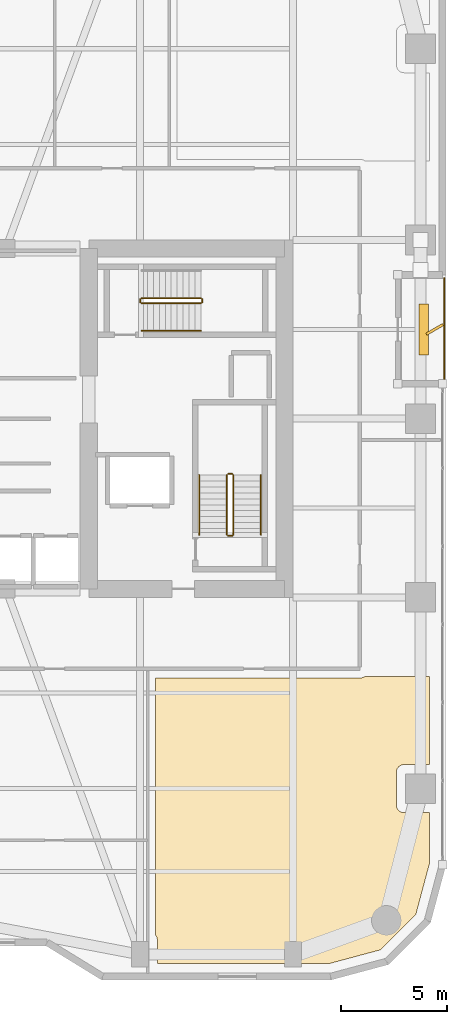
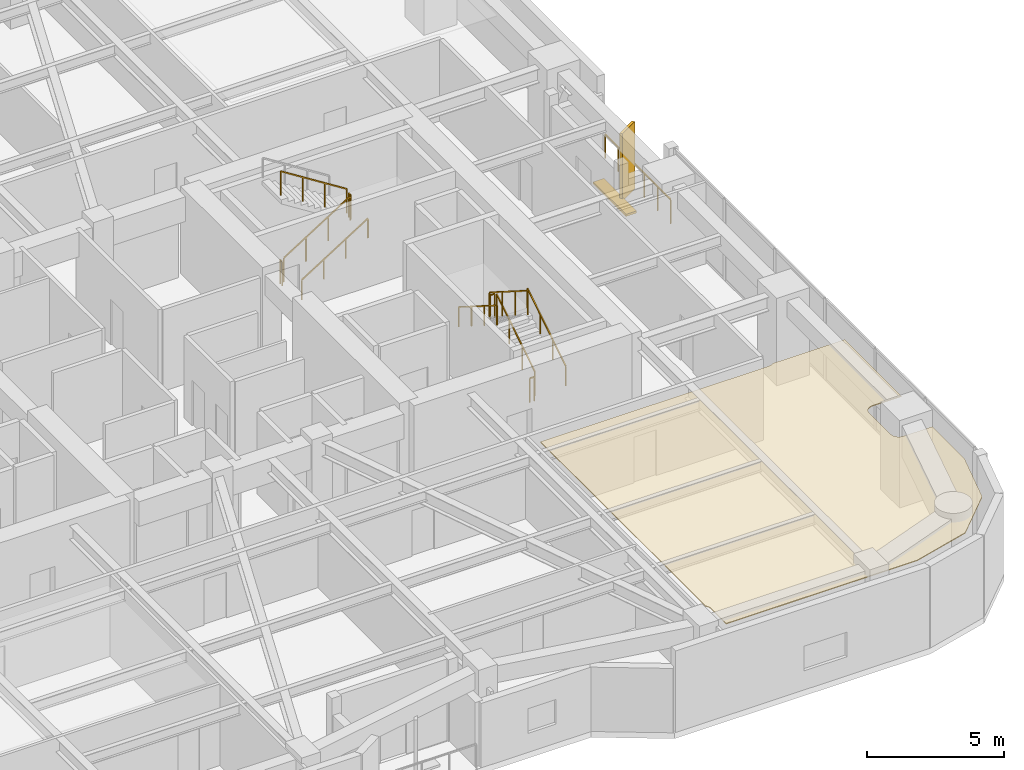
# One storey, part 23 of 24: 12 railings, 2 shading devices, 1 covering.
"""IFC4 building model written with IfcOpenShell, lengths in metres."""

from ifc_helpers import new_model, si_unit, direction, frame, origin, origin_2d, place, context, subcontext, project, spatial, polyline, rectangle, outline, extrude, material, layer, layer_set, type_object, element, save


model = new_model("IFC4")

# Units and contexts
model_context = context("Model", 3, precision=1e-05, world=origin(), true_north=direction((0.0, 1.0)))
body_context = subcontext(model_context, "Body", "Model", "MODEL_VIEW")
ifc_project = project(units=[si_unit("LENGTHUNIT", "METRE"), si_unit("AREAUNIT", "SQUARE_METRE"), si_unit("VOLUMEUNIT", "CUBIC_METRE"), si_unit("PLANEANGLEUNIT", "RADIAN"), si_unit("MASSUNIT", "GRAM", prefix="KILO")], contexts=[model_context])

# Site, building, storey
site_placement = place(None, origin())
site = spatial("IfcSite", under=ifc_project, at=site_placement, CompositionType="ELEMENT")
building_placement = place(site_placement, origin())
building = spatial("IfcBuilding", under=site, at=building_placement, Name="Kiyonajd Concourse Tower", CompositionType="ELEMENT")
storey_placement = place(building_placement, frame((0.0, 0.0, 93.60009765625)))
storey = spatial("IfcBuildingStorey", under=building, at=storey_placement, Name="L24", CompositionType="ELEMENT", Elevation=93.60009765625)

# Covering
ifc_material_1 = material(Name="Natural Oak Acoustic Timber Veneer", Category="wood")
ifc_layer = layer(ifc_material_1, 0.0400390625)
ifc_layer_set = layer_set([ifc_layer], Name="Natural Oak Acoustic Timber Veneer")
covering_type = type_object("IfcCoveringType", Name="CV-CLG-ACST", PredefinedType="CEILING", material=ifc_layer_set)
covering_placement = place(storey_placement, frame((0.0, 0.0, 3.4599609375)))
element("IfcCovering", 1, at=covering_placement, inside=storey, type_object=covering_type, Name="L24-45 Room Acoustic Ceiling", PredefinedType="CEILING", context=body_context, shape_type="SweptSolid", body=[
    extrude(outline(polyline([(57.22998046875, 10.3701171875), (57.22802734375, 11.513916015625), (57.202880859375, 11.614013671875), (57.1708984375, 11.674072265625), (57.139892578125, 11.714111328125), (57.139892578125, 23.800048828125), (66.75, 23.800048828125), (66.8798828125, 23.820068359375), (66.943115234375, 23.845947265625), (66.998046875, 23.8798828125), (70.030029296875, 23.8798828125), (70.030029296875, 19.72998046875), (68.820068359375, 19.72998046875), (68.751953125, 19.722900390625), (68.655029296875, 19.68896484375), (68.572998046875, 19.626953125), (68.510986328125, 19.544921875), (68.485107421875, 19.48193359375), (68.471923828125, 19.4140625), (68.469970703125, 17.820068359375), (68.485107421875, 17.718017578125), (68.510986328125, 17.655029296875), (68.549072265625, 17.597900390625), (68.597900390625, 17.549072265625), (68.655029296875, 17.510986328125), (68.718017578125, 17.485107421875), (68.785888671875, 17.471923828125), (70.030029296875, 17.469970703125), (70.030029296875, 15.10107421875), (69.385986328125, 12.697998046875), (67.701904296875, 11.013916015625), (65.299072265625, 10.3701171875), (57.22998046875, 10.3701171875)])), origin(), (0.0, 0.0, 1.0), 0.0400390625),
])

# Railings
ifc_material_2 = material(Name="Thermally Broken Anodised Aluminium", Category="aluminium")
railing_type_1 = type_object("IfcRailingType", Name="RL-GRD-LOG", PredefinedType="GUARDRAIL", material=ifc_material_2)
railing_1_placement = place(storey_placement, frame((70.719970703125, 37.800048828125, 0.0)))
element("IfcRailing", 2, at=railing_1_placement, inside=storey, type_object=railing_type_1, Name="L24 Engawa Loggia Perimeter Guard LOG-E", PredefinedType="GUARDRAIL", context=body_context, shape_type="SweptSolid", body=[
    extrude(rectangle(XDim=0.048095703125, YDim=0.048095703125, at=origin_2d()), frame((0.0, 0.0, 1.076171875), z_axis=(0.0, 1.0, 0.0), x_axis=(-1.0, 0.0, 0.0)), (0.0, 0.0, 1.0), 4.800048828125),
    extrude(rectangle(XDim=0.0419921875, YDim=0.0419921875, at=origin_2d()), origin(), (0.0, 0.0, 1.0), 1.052001953125),
    extrude(rectangle(XDim=0.0419921875, YDim=0.0419921875, at=origin_2d()), frame((0.0, 0.9599609375, 0.0)), (0.0, 0.0, 1.0), 1.052001953125),
    extrude(rectangle(XDim=0.0419921875, YDim=0.0419921875, at=origin_2d()), frame((0.0, 1.919921875, 0.0)), (0.0, 0.0, 1.0), 1.052001953125),
    extrude(rectangle(XDim=0.0419921875, YDim=0.0419921875, at=origin_2d()), frame((0.0, 2.880126953125, 0.0)), (0.0, 0.0, 1.0), 1.052001953125),
    extrude(rectangle(XDim=0.0419921875, YDim=0.0419921875, at=origin_2d()), frame((0.0, 3.840087890625, 0.0)), (0.0, 0.0, 1.0), 1.052001953125),
    extrude(rectangle(XDim=0.0419921875, YDim=0.0419921875, at=origin_2d()), frame((0.0, 4.800048828125, 0.0)), (0.0, 0.0, 1.0), 1.052001953125),
])
ifc_material_3 = material(Name="Steel ASTM A500 Grade C", Category="steel")
railing_type_2 = type_object("IfcRailingType", Name="RL-GRD-STR", PredefinedType="GUARDRAIL", material=ifc_material_3)
railing_2_placement = place(storey_placement, frame((60.800048828125, 30.550048828125, 0.17724609375)))
element("IfcRailing", 3, at=railing_2_placement, inside=storey, type_object=railing_type_2, Name="L24 ST2 stair guard 1", PredefinedType="GUARDRAIL", context=body_context, shape_type="SweptSolid", body=[
    extrude(rectangle(XDim=0.048095703125, YDim=0.048095703125, at=origin_2d()), frame((0.0, 0.0, 1.076171875), z_axis=(0.0, 0.844908973607, 0.534910110503), x_axis=(-1.0, 0.0, 0.0)), (0.0, 0.0, 1.0), 3.31396484375),
    extrude(rectangle(XDim=0.0419921875, YDim=0.0419921875, at=origin_2d()), origin(), (0.0, 0.0, 1.0), 1.052001953125),
    extrude(rectangle(XDim=0.0419921875, YDim=0.0419921875, at=origin_2d()), frame((0.0, 0.933349609375, 0.5908203125)), (0.0, 0.0, 1.0), 1.052001953125),
    extrude(rectangle(XDim=0.0419921875, YDim=0.0419921875, at=origin_2d()), frame((0.0, 1.86669921875, 1.181884765625)), (0.0, 0.0, 1.0), 1.052001953125),
    extrude(rectangle(XDim=0.0419921875, YDim=0.0419921875, at=origin_2d()), frame((0.0, 2.800048828125, 1.772705078125)), (0.0, 0.0, 1.0), 1.052001953125),
])
railing_3_placement = place(storey_placement, frame((60.75, 33.39990234375, 1.949951171875)))
element("IfcRailing", 4, at=railing_3_placement, inside=storey, type_object=railing_type_2, Name="L24 ST2 stair guard 2", PredefinedType="GUARDRAIL", context=body_context, shape_type="SweptSolid", body=[
    extrude(rectangle(XDim=0.048095703125, YDim=0.048095703125, at=origin_2d()), frame((0.0, 0.0, 1.076171875), z_axis=(-1.0, 0.0, 0.0), x_axis=(0.0, -1.0, 0.0)), (0.0, 0.0, 1.0), 0.199951171875),
    extrude(rectangle(XDim=0.0419921875, YDim=0.0419921875, at=origin_2d()), origin(), (0.0, 0.0, 1.0), 1.052001953125),
    extrude(rectangle(XDim=0.0419921875, YDim=0.0419921875, at=origin_2d()), frame((-0.199951171875, 0.0, 0.0)), (0.0, 0.0, 1.0), 1.052001953125),
])
railing_4_placement = place(storey_placement, frame((60.5, 33.35009765625, 2.127197265625)))
element("IfcRailing", 5, at=railing_4_placement, inside=storey, type_object=railing_type_2, Name="L24 ST2 stair guard 3", PredefinedType="GUARDRAIL", context=body_context, shape_type="SweptSolid", body=[
    extrude(rectangle(XDim=0.048095703125, YDim=0.048095703125, at=origin_2d()), frame((0.0, 0.0, 1.076171875), z_axis=(0.0, -0.844908973607, 0.534910110503), x_axis=(1.0, 0.0, 0.0)), (0.0, 0.0, 1.0), 3.31396484375),
    extrude(rectangle(XDim=0.0419921875, YDim=0.0419921875, at=origin_2d()), origin(), (0.0, 0.0, 1.0), 1.052001953125),
    extrude(rectangle(XDim=0.0419921875, YDim=0.0419921875, at=origin_2d()), frame((0.0, -0.933349609375, 0.5908203125)), (0.0, 0.0, 1.0), 1.052001953125),
    extrude(rectangle(XDim=0.0419921875, YDim=0.0419921875, at=origin_2d()), frame((0.0, -1.86669921875, 1.181884765625)), (0.0, 0.0, 1.0), 1.052001953125),
    extrude(rectangle(XDim=0.0419921875, YDim=0.0419921875, at=origin_2d()), frame((0.0, -2.800048828125, 1.772705078125)), (0.0, 0.0, 1.0), 1.052001953125),
])
railing_5_placement = place(storey_placement, frame((60.75, 30.5, 0.0)))
element("IfcRailing", 6, at=railing_5_placement, inside=storey, type_object=railing_type_2, Name="L24 ST2 stair guard 4", PredefinedType="GUARDRAIL", context=body_context, shape_type="SweptSolid", body=[
    extrude(rectangle(XDim=0.048095703125, YDim=0.048095703125, at=origin_2d()), frame((0.0, 0.0, 1.076171875), z_axis=(-1.0, 0.0, 0.0), x_axis=(0.0, -1.0, 0.0)), (0.0, 0.0, 1.0), 0.199951171875),
    extrude(rectangle(XDim=0.0419921875, YDim=0.0419921875, at=origin_2d()), origin(), (0.0, 0.0, 1.0), 1.052001953125),
    extrude(rectangle(XDim=0.0419921875, YDim=0.0419921875, at=origin_2d()), frame((-0.199951171875, 0.0, 0.0)), (0.0, 0.0, 1.0), 1.052001953125),
])
railing_6_placement = place(storey_placement, frame((56.47998046875, 41.429931640625, 0.17724609375)))
element("IfcRailing", 7, at=railing_6_placement, inside=storey, type_object=railing_type_2, Name="L24 ST3 stair guard 1", PredefinedType="GUARDRAIL", context=body_context, shape_type="SweptSolid", body=[
    extrude(rectangle(XDim=0.048095703125, YDim=0.048095703125, at=origin_2d()), frame((0.0, 0.0, 1.076171875), z_axis=(0.844908973607, 0.0, 0.534910110503), x_axis=(0.0, 1.0, 0.0)), (0.0, 0.0, 1.0), 3.31396484375),
    extrude(rectangle(XDim=0.0419921875, YDim=0.0419921875, at=origin_2d()), origin(), (0.0, 0.0, 1.0), 1.052001953125),
    extrude(rectangle(XDim=0.0419921875, YDim=0.0419921875, at=origin_2d()), frame((0.933349609375, 0.0, 0.5908203125)), (0.0, 0.0, 1.0), 1.052001953125),
    extrude(rectangle(XDim=0.0419921875, YDim=0.0419921875, at=origin_2d()), frame((1.86669921875, 0.0, 1.181884765625)), (0.0, 0.0, 1.0), 1.052001953125),
    extrude(rectangle(XDim=0.0419921875, YDim=0.0419921875, at=origin_2d()), frame((2.800048828125, 0.0, 1.772705078125)), (0.0, 0.0, 1.0), 1.052001953125),
])
railing_7_placement = place(storey_placement, frame((59.330078125, 41.47998046875, 1.949951171875)))
element("IfcRailing", 8, at=railing_7_placement, inside=storey, type_object=railing_type_2, Name="L24 ST3 stair guard 2", PredefinedType="GUARDRAIL", context=body_context, shape_type="SweptSolid", body=[
    extrude(rectangle(XDim=0.048095703125, YDim=0.048095703125, at=origin_2d()), frame((0.0, 0.0, 1.076171875), z_axis=(0.0, 1.0, 0.0), x_axis=(-1.0, 0.0, 0.0)), (0.0, 0.0, 1.0), 0.14013671875),
    extrude(rectangle(XDim=0.0419921875, YDim=0.0419921875, at=origin_2d()), origin(), (0.0, 0.0, 1.0), 1.052001953125),
    extrude(rectangle(XDim=0.0419921875, YDim=0.0419921875, at=origin_2d()), frame((0.0, 0.14013671875, 0.0)), (0.0, 0.0, 1.0), 1.052001953125),
])
railing_8_placement = place(storey_placement, frame((59.280029296875, 41.669921875, 2.127197265625)))
element("IfcRailing", 9, at=railing_8_placement, inside=storey, type_object=railing_type_2, Name="L24 ST3 stair guard 3", PredefinedType="GUARDRAIL", context=body_context, shape_type="SweptSolid", body=[
    extrude(rectangle(XDim=0.048095703125, YDim=0.048095703125, at=origin_2d()), frame((0.0, 0.0, 1.076171875), z_axis=(-0.844908973607, 0.0, 0.534910110503), x_axis=(0.0, -1.0, 0.0)), (0.0, 0.0, 1.0), 3.31396484375),
    extrude(rectangle(XDim=0.0419921875, YDim=0.0419921875, at=origin_2d()), origin(), (0.0, 0.0, 1.0), 1.052001953125),
    extrude(rectangle(XDim=0.0419921875, YDim=0.0419921875, at=origin_2d()), frame((-0.933349609375, 0.0, 0.5908203125)), (0.0, 0.0, 1.0), 1.052001953125),
    extrude(rectangle(XDim=0.0419921875, YDim=0.0419921875, at=origin_2d()), frame((-1.86669921875, 0.0, 1.181884765625)), (0.0, 0.0, 1.0), 1.052001953125),
    extrude(rectangle(XDim=0.0419921875, YDim=0.0419921875, at=origin_2d()), frame((-2.800048828125, 0.0, 1.772705078125)), (0.0, 0.0, 1.0), 1.052001953125),
])
railing_9_placement = place(storey_placement, frame((56.429931640625, 41.47998046875, 0.0)))
element("IfcRailing", 10, at=railing_9_placement, inside=storey, type_object=railing_type_2, Name="L24 ST3 stair guard 4", PredefinedType="GUARDRAIL", context=body_context, shape_type="SweptSolid", body=[
    extrude(rectangle(XDim=0.048095703125, YDim=0.048095703125, at=origin_2d()), frame((0.0, 0.0, 1.076171875), z_axis=(0.0, 1.0, 0.0), x_axis=(-1.0, 0.0, 0.0)), (0.0, 0.0, 1.0), 0.14013671875),
    extrude(rectangle(XDim=0.0419921875, YDim=0.0419921875, at=origin_2d()), origin(), (0.0, 0.0, 1.0), 1.052001953125),
    extrude(rectangle(XDim=0.0419921875, YDim=0.0419921875, at=origin_2d()), frame((0.0, 0.14013671875, 0.0)), (0.0, 0.0, 1.0), 1.052001953125),
])
ifc_material_4 = material(Name="Brushed Stainless Steel Cab Assembly", Category="steel")
railing_type_3 = type_object("IfcRailingType", Name="RL-HND-900", PredefinedType="HANDRAIL", material=ifc_material_4)
railing_10_placement = place(storey_placement, frame((62.10009765625, 30.550048828125, 0.17724609375)))
element("IfcRailing", 11, at=railing_10_placement, inside=storey, type_object=railing_type_3, Name="L24 ST2 stair handrail 1", PredefinedType="HANDRAIL", context=body_context, shape_type="SweptSolid", body=[
    extrude(rectangle(XDim=0.048095703125, YDim=0.048095703125, at=origin_2d()), frame((0.0, 0.0, 0.8759765625), z_axis=(0.0, 0.844908973607, 0.534910110503), x_axis=(-1.0, 0.0, 0.0)), (0.0, 0.0, 1.0), 3.31396484375),
    extrude(rectangle(XDim=0.0419921875, YDim=0.0419921875, at=origin_2d()), origin(), (0.0, 0.0, 1.0), 0.851806640625),
    extrude(rectangle(XDim=0.0419921875, YDim=0.0419921875, at=origin_2d()), frame((0.0, 0.933349609375, 0.5908203125)), (0.0, 0.0, 1.0), 0.851806640625),
    extrude(rectangle(XDim=0.0419921875, YDim=0.0419921875, at=origin_2d()), frame((0.0, 1.86669921875, 1.181884765625)), (0.0, 0.0, 1.0), 0.851806640625),
    extrude(rectangle(XDim=0.0419921875, YDim=0.0419921875, at=origin_2d()), frame((0.0, 2.800048828125, 1.772705078125)), (0.0, 0.0, 1.0), 0.851806640625),
])
railing_11_placement = place(storey_placement, frame((59.199951171875, 33.35009765625, 2.127197265625)))
element("IfcRailing", 12, at=railing_11_placement, inside=storey, type_object=railing_type_3, Name="L24 ST2 stair handrail 2", PredefinedType="HANDRAIL", context=body_context, shape_type="SweptSolid", body=[
    extrude(rectangle(XDim=0.048095703125, YDim=0.048095703125, at=origin_2d()), frame((0.0, 0.0, 0.8759765625), z_axis=(0.0, -0.844908973607, 0.534910110503), x_axis=(1.0, 0.0, 0.0)), (0.0, 0.0, 1.0), 3.31396484375),
    extrude(rectangle(XDim=0.0419921875, YDim=0.0419921875, at=origin_2d()), origin(), (0.0, 0.0, 1.0), 0.851806640625),
    extrude(rectangle(XDim=0.0419921875, YDim=0.0419921875, at=origin_2d()), frame((0.0, -0.933349609375, 0.5908203125)), (0.0, 0.0, 1.0), 0.851806640625),
    extrude(rectangle(XDim=0.0419921875, YDim=0.0419921875, at=origin_2d()), frame((0.0, -1.86669921875, 1.181884765625)), (0.0, 0.0, 1.0), 0.851806640625),
    extrude(rectangle(XDim=0.0419921875, YDim=0.0419921875, at=origin_2d()), frame((0.0, -2.800048828125, 1.772705078125)), (0.0, 0.0, 1.0), 0.851806640625),
])
railing_12_placement = place(storey_placement, frame((56.47998046875, 40.1298828125, 0.17724609375)))
element("IfcRailing", 13, at=railing_12_placement, inside=storey, type_object=railing_type_3, Name="L24 ST3 stair handrail 1", PredefinedType="HANDRAIL", context=body_context, shape_type="SweptSolid", body=[
    extrude(rectangle(XDim=0.048095703125, YDim=0.048095703125, at=origin_2d()), frame((0.0, 0.0, 0.8759765625), z_axis=(0.844908973607, 0.0, 0.534910110503), x_axis=(0.0, 1.0, 0.0)), (0.0, 0.0, 1.0), 3.31396484375),
    extrude(rectangle(XDim=0.0419921875, YDim=0.0419921875, at=origin_2d()), origin(), (0.0, 0.0, 1.0), 0.851806640625),
    extrude(rectangle(XDim=0.0419921875, YDim=0.0419921875, at=origin_2d()), frame((0.933349609375, 0.0, 0.5908203125)), (0.0, 0.0, 1.0), 0.851806640625),
    extrude(rectangle(XDim=0.0419921875, YDim=0.0419921875, at=origin_2d()), frame((1.86669921875, 0.0, 1.181884765625)), (0.0, 0.0, 1.0), 0.851806640625),
    extrude(rectangle(XDim=0.0419921875, YDim=0.0419921875, at=origin_2d()), frame((2.800048828125, 0.0, 1.772705078125)), (0.0, 0.0, 1.0), 0.851806640625),
])

# Shading devices
ifc_material_5 = material(Name="Precast concrete C50/60", Category="concrete")
shading_device_type_1 = type_object("IfcShadingDeviceType", Name="SH-FIN-900", PredefinedType="USERDEFINED", material=ifc_material_5)
shading_device_1_placement = place(storey_placement, frame((70.27001953125, 40.199951171875, 0.0), z_axis=(0.0, 0.0, 1.0), x_axis=(0.866025403784, 0.5, 0.0)))
element("IfcShadingDevice", 14, at=shading_device_1_placement, inside=storey, type_object=shading_device_type_1, Name="L24 Angled Koshi Solar Fin LOG-E", ObjectType="FIN", PredefinedType="USERDEFINED", context=body_context, shape_type="SweptSolid", body=[
    extrude(rectangle(XDim=0.89990234375, YDim=0.1201171875, at=origin_2d()), origin(), (0.0, 0.0, 1.0), 3.0),
])
shading_device_type_2 = type_object("IfcShadingDeviceType", Name="SH-LVR-600", PredefinedType="JALOUSIE", material=ifc_material_2)
shading_device_2_placement = place(storey_placement, frame((69.75, 40.199951171875, -0.000244140625), z_axis=(0.0, 0.0, 1.0), x_axis=(0.0, 1.0, 0.0)))
element("IfcShadingDevice", 15, at=shading_device_2_placement, inside=storey, type_object=shading_device_type_2, Name="L24 Loggia Threshold Louver LOG-E", PredefinedType="JALOUSIE", context=body_context, shape_type="SweptSolid", body=[
    extrude(rectangle(XDim=2.39990234375, YDim=0.449951171875, at=origin_2d()), origin(), (0.0, 0.0, 1.0), 0.10009765625),
])

save(model, "model.ifc")
